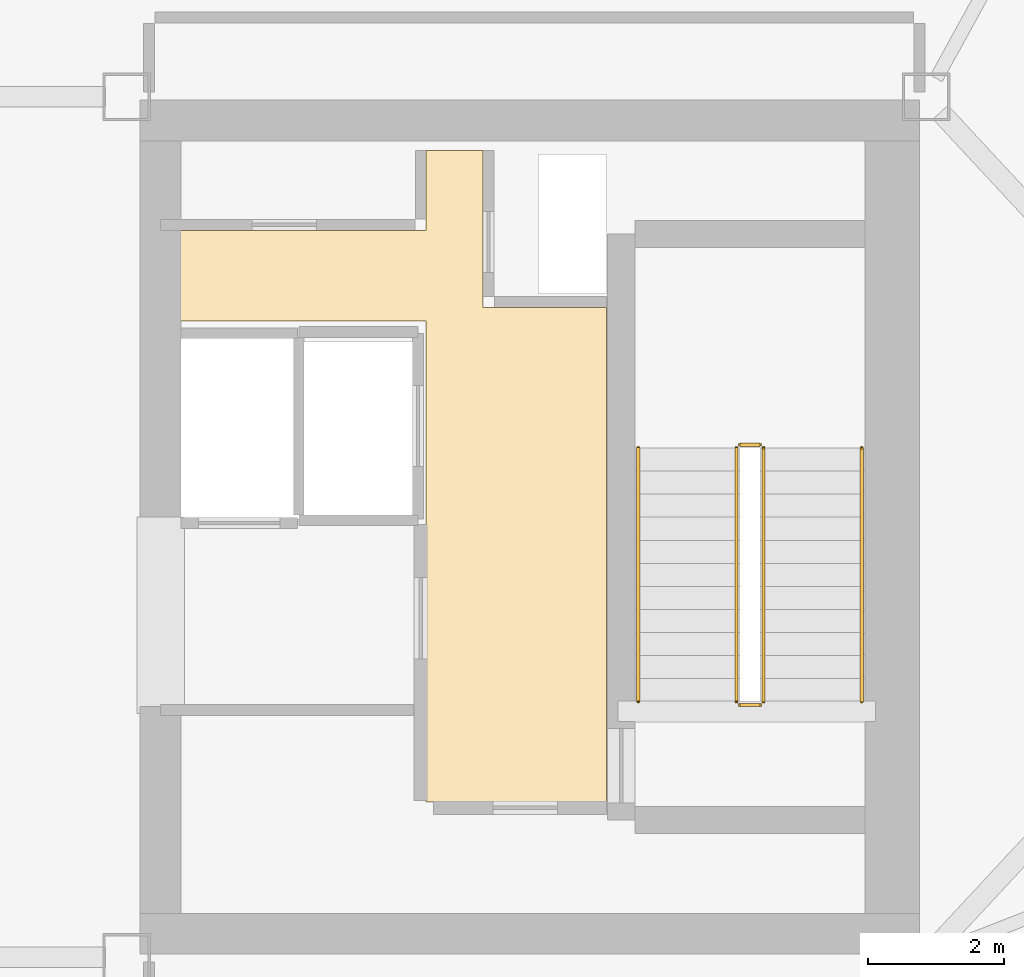
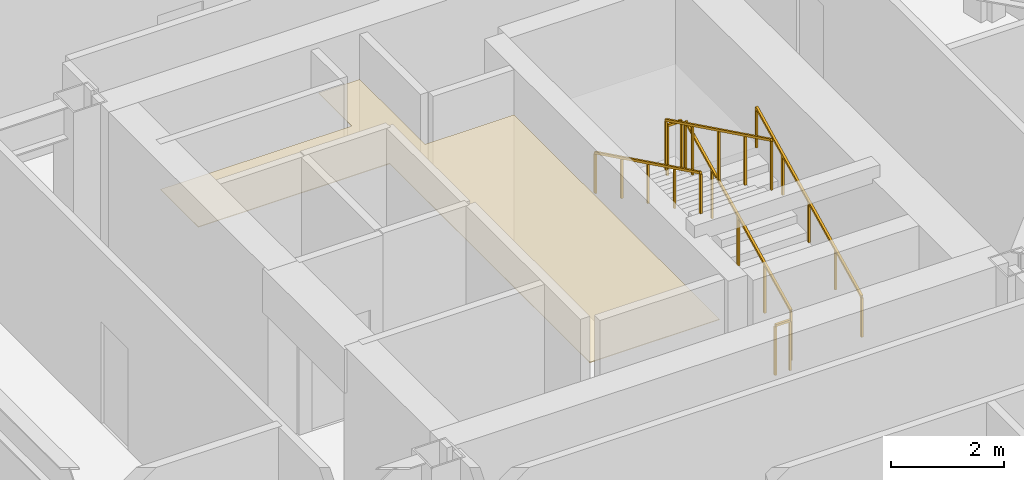
# One storey, part 23 of 23: 6 railings, 1 covering.
"""IFC4 building model written with IfcOpenShell, lengths in metres."""

from ifc_helpers import new_model, si_unit, direction, frame, origin, origin_2d, place, context, subcontext, project, spatial, polyline, rectangle, outline, extrude, material, layer, layer_set, type_object, element, save


model = new_model("IFC4")

# Units and contexts
model_context = context("Model", 3, precision=1e-05, world=origin(), true_north=direction((0.0, 1.0)))
body_context = subcontext(model_context, "Body", "Model", "MODEL_VIEW")
ifc_project = project(units=[si_unit("LENGTHUNIT", "METRE"), si_unit("AREAUNIT", "SQUARE_METRE"), si_unit("VOLUMEUNIT", "CUBIC_METRE"), si_unit("PLANEANGLEUNIT", "RADIAN"), si_unit("MASSUNIT", "GRAM", prefix="KILO")], contexts=[model_context])

# Site, building, storey
site_placement = place(None, origin())
site = spatial("IfcSite", under=ifc_project, at=site_placement, CompositionType="ELEMENT")
building_placement = place(site_placement, origin())
building = spatial("IfcBuilding", under=site, at=building_placement, Name="Tavrogorsk Clinical Tower", CompositionType="ELEMENT")
storey_placement = place(building_placement, frame((0.0, 0.0, 289.0)))
storey = spatial("IfcBuildingStorey", under=building, at=storey_placement, Name="L67", CompositionType="ELEMENT", Elevation=289.0)

# Covering
ifc_material_1 = material(Name="Antibacterial micro-perforated aluminium ceiling", Category="aluminium")
ifc_layer_1 = layer(ifc_material_1, 0.014892578125)
ifc_layer_set_1 = layer_set([ifc_layer_1], Name="Antibacterial micro-perforated aluminium ceiling")
covering_type = type_object("IfcCoveringType", Name="ClinicalCeiling_15", PredefinedType="CEILING", material=ifc_layer_set_1)
covering_placement = place(storey_placement, frame((0.0, 0.0, 2.75)))
element("IfcCovering", 1, at=covering_placement, inside=storey, type_object=covering_type, Name="Core East Firefighting Lift Lobby Acoustic Ceiling", PredefinedType="CEILING", context=body_context, shape_type="SweptSolid", body=[
    extrude(outline(polyline([(14.719970703125, -4.06005859375), (14.719970703125, 3.0400390625), (10.800048828125, 3.0400390625), (10.800048828125, 4.3798828125), (14.719970703125, 4.3798828125), (14.719970703125, 5.56005859375), (15.56005859375, 5.56005859375), (15.56005859375, 3.239990234375), (17.3798828125, 3.239990234375), (17.3798828125, -4.06005859375), (14.719970703125, -4.06005859375)])), origin(), (0.0, 0.0, 1.0), 0.014892578125),
])

# Railings
ifc_material_2 = material(Name="Galvanised steel S355 safety stairwell guard", Category="steel")
ifc_layer_2 = layer(ifc_material_2, 0.06005859375)
ifc_layer_set_2 = layer_set([ifc_layer_2], Name="Galvanised steel S355 safety stairwell guard")
railing_type_1 = type_object("IfcRailingType", Name="StairGuard_1150", PredefinedType="GUARDRAIL", material=ifc_layer_set_2)
railing_1_placement = place(storey_placement, frame((19.699951171875, -2.574951171875, 0.166748046875)))
element("IfcRailing", 2, at=railing_1_placement, inside=storey, type_object=railing_type_1, Name="L67 ST-E stair guard 1", PredefinedType="GUARDRAIL", context=body_context, shape_type="SweptSolid", body=[
    extrude(rectangle(XDim=0.048095703125, YDim=0.048095703125, at=origin_2d()), frame((0.0, 0.0, 1.076171875), z_axis=(0.0, 0.897927990467, 0.440142390523), x_axis=(-1.0, 0.0, 0.0)), (0.0, 0.0, 1.0), 4.1650390625),
    extrude(rectangle(XDim=0.0419921875, YDim=0.0419921875, at=origin_2d()), origin(), (0.0, 0.0, 1.0), 1.052001953125),
    extrude(rectangle(XDim=0.0419921875, YDim=0.0419921875, at=origin_2d()), frame((0.0, 0.93505859375, 0.458251953125)), (0.0, 0.0, 1.0), 1.052001953125),
    extrude(rectangle(XDim=0.0419921875, YDim=0.0419921875, at=origin_2d()), frame((0.0, 1.8701171875, 0.91650390625)), (0.0, 0.0, 1.0), 1.052001953125),
    extrude(rectangle(XDim=0.0419921875, YDim=0.0419921875, at=origin_2d()), frame((0.0, 2.804931640625, 1.375)), (0.0, 0.0, 1.0), 1.052001953125),
    extrude(rectangle(XDim=0.0419921875, YDim=0.0419921875, at=origin_2d()), frame((0.0, 3.739990234375, 1.833251953125)), (0.0, 0.0, 1.0), 1.052001953125),
])
railing_2_placement = place(storey_placement, frame((19.64990234375, 1.215087890625, 2.0)))
element("IfcRailing", 3, at=railing_2_placement, inside=storey, type_object=railing_type_1, Name="L67 ST-E stair guard 2", PredefinedType="GUARDRAIL", context=body_context, shape_type="SweptSolid", body=[
    extrude(rectangle(XDim=0.048095703125, YDim=0.048095703125, at=origin_2d()), frame((0.0, 0.0, 1.076171875), z_axis=(-1.0, 0.0, 0.0), x_axis=(0.0, -1.0, 0.0)), (0.0, 0.0, 1.0), 0.2998046875),
    extrude(rectangle(XDim=0.0419921875, YDim=0.0419921875, at=origin_2d()), origin(), (0.0, 0.0, 1.0), 1.052001953125),
    extrude(rectangle(XDim=0.0419921875, YDim=0.0419921875, at=origin_2d()), frame((-0.2998046875, 0.0, 0.0)), (0.0, 0.0, 1.0), 1.052001953125),
])
railing_3_placement = place(storey_placement, frame((19.300048828125, 1.1650390625, 2.166748046875)))
element("IfcRailing", 4, at=railing_3_placement, inside=storey, type_object=railing_type_1, Name="L67 ST-E stair guard 3", PredefinedType="GUARDRAIL", context=body_context, shape_type="SweptSolid", body=[
    extrude(rectangle(XDim=0.048095703125, YDim=0.048095703125, at=origin_2d()), frame((0.0, 0.0, 1.076171875), z_axis=(0.0, -0.897927990467, 0.440142390523), x_axis=(1.0, 0.0, 0.0)), (0.0, 0.0, 1.0), 4.1650390625),
    extrude(rectangle(XDim=0.0419921875, YDim=0.0419921875, at=origin_2d()), origin(), (0.0, 0.0, 1.0), 1.052001953125),
    extrude(rectangle(XDim=0.0419921875, YDim=0.0419921875, at=origin_2d()), frame((0.0, -0.93505859375, 0.458251953125)), (0.0, 0.0, 1.0), 1.052001953125),
    extrude(rectangle(XDim=0.0419921875, YDim=0.0419921875, at=origin_2d()), frame((0.0, -1.8701171875, 0.91650390625)), (0.0, 0.0, 1.0), 1.052001953125),
    extrude(rectangle(XDim=0.0419921875, YDim=0.0419921875, at=origin_2d()), frame((0.0, -2.804931640625, 1.375)), (0.0, 0.0, 1.0), 1.052001953125),
    extrude(rectangle(XDim=0.0419921875, YDim=0.0419921875, at=origin_2d()), frame((0.0, -3.739990234375, 1.833251953125)), (0.0, 0.0, 1.0), 1.052001953125),
])
railing_4_placement = place(storey_placement, frame((19.64990234375, -2.625, 0.0)))
element("IfcRailing", 5, at=railing_4_placement, inside=storey, type_object=railing_type_1, Name="L67 ST-E stair guard 4", PredefinedType="GUARDRAIL", context=body_context, shape_type="SweptSolid", body=[
    extrude(rectangle(XDim=0.048095703125, YDim=0.048095703125, at=origin_2d()), frame((0.0, 0.0, 1.076171875), z_axis=(-1.0, 0.0, 0.0), x_axis=(0.0, -1.0, 0.0)), (0.0, 0.0, 1.0), 0.2998046875),
    extrude(rectangle(XDim=0.0419921875, YDim=0.0419921875, at=origin_2d()), origin(), (0.0, 0.0, 1.0), 1.052001953125),
    extrude(rectangle(XDim=0.0419921875, YDim=0.0419921875, at=origin_2d()), frame((-0.2998046875, 0.0, 0.0)), (0.0, 0.0, 1.0), 1.052001953125),
])
ifc_material_3 = material(Name="Stainless steel AISI 304 tubular handrail", Category="steel")
ifc_layer_3 = layer(ifc_material_3, 0.050048828125)
ifc_layer_set_3 = layer_set([ifc_layer_3], Name="Stainless steel AISI 304 tubular handrail")
railing_type_2 = type_object("IfcRailingType", Name="StairHandrail_920", PredefinedType="HANDRAIL", material=ifc_layer_set_3)
railing_5_placement = place(storey_placement, frame((21.14990234375, -2.574951171875, 0.166748046875)))
element("IfcRailing", 6, at=railing_5_placement, inside=storey, type_object=railing_type_2, Name="L67 ST-E stair handrail 1", PredefinedType="HANDRAIL", context=body_context, shape_type="SweptSolid", body=[
    extrude(rectangle(XDim=0.048095703125, YDim=0.048095703125, at=origin_2d()), frame((0.0, 0.0, 0.8759765625), z_axis=(0.0, 0.897927990467, 0.440142390523), x_axis=(-1.0, 0.0, 0.0)), (0.0, 0.0, 1.0), 4.1650390625),
    extrude(rectangle(XDim=0.0419921875, YDim=0.0419921875, at=origin_2d()), origin(), (0.0, 0.0, 1.0), 0.851806640625),
    extrude(rectangle(XDim=0.0419921875, YDim=0.0419921875, at=origin_2d()), frame((0.0, 0.93505859375, 0.458251953125)), (0.0, 0.0, 1.0), 0.851806640625),
    extrude(rectangle(XDim=0.0419921875, YDim=0.0419921875, at=origin_2d()), frame((0.0, 1.8701171875, 0.91650390625)), (0.0, 0.0, 1.0), 0.851806640625),
    extrude(rectangle(XDim=0.0419921875, YDim=0.0419921875, at=origin_2d()), frame((0.0, 2.804931640625, 1.375)), (0.0, 0.0, 1.0), 0.851806640625),
    extrude(rectangle(XDim=0.0419921875, YDim=0.0419921875, at=origin_2d()), frame((0.0, 3.739990234375, 1.833251953125)), (0.0, 0.0, 1.0), 0.851806640625),
])
railing_6_placement = place(storey_placement, frame((17.85009765625, 1.1650390625, 2.166748046875)))
element("IfcRailing", 7, at=railing_6_placement, inside=storey, type_object=railing_type_2, Name="L67 ST-E stair handrail 2", PredefinedType="HANDRAIL", context=body_context, shape_type="SweptSolid", body=[
    extrude(rectangle(XDim=0.048095703125, YDim=0.048095703125, at=origin_2d()), frame((0.0, 0.0, 0.8759765625), z_axis=(0.0, -0.897927990467, 0.440142390523), x_axis=(1.0, 0.0, 0.0)), (0.0, 0.0, 1.0), 4.1650390625),
    extrude(rectangle(XDim=0.0419921875, YDim=0.0419921875, at=origin_2d()), origin(), (0.0, 0.0, 1.0), 0.851806640625),
    extrude(rectangle(XDim=0.0419921875, YDim=0.0419921875, at=origin_2d()), frame((0.0, -0.93505859375, 0.458251953125)), (0.0, 0.0, 1.0), 0.851806640625),
    extrude(rectangle(XDim=0.0419921875, YDim=0.0419921875, at=origin_2d()), frame((0.0, -1.8701171875, 0.91650390625)), (0.0, 0.0, 1.0), 0.851806640625),
    extrude(rectangle(XDim=0.0419921875, YDim=0.0419921875, at=origin_2d()), frame((0.0, -2.804931640625, 1.375)), (0.0, 0.0, 1.0), 0.851806640625),
    extrude(rectangle(XDim=0.0419921875, YDim=0.0419921875, at=origin_2d()), frame((0.0, -3.739990234375, 1.833251953125)), (0.0, 0.0, 1.0), 0.851806640625),
])

save(model, "model.ifc")
